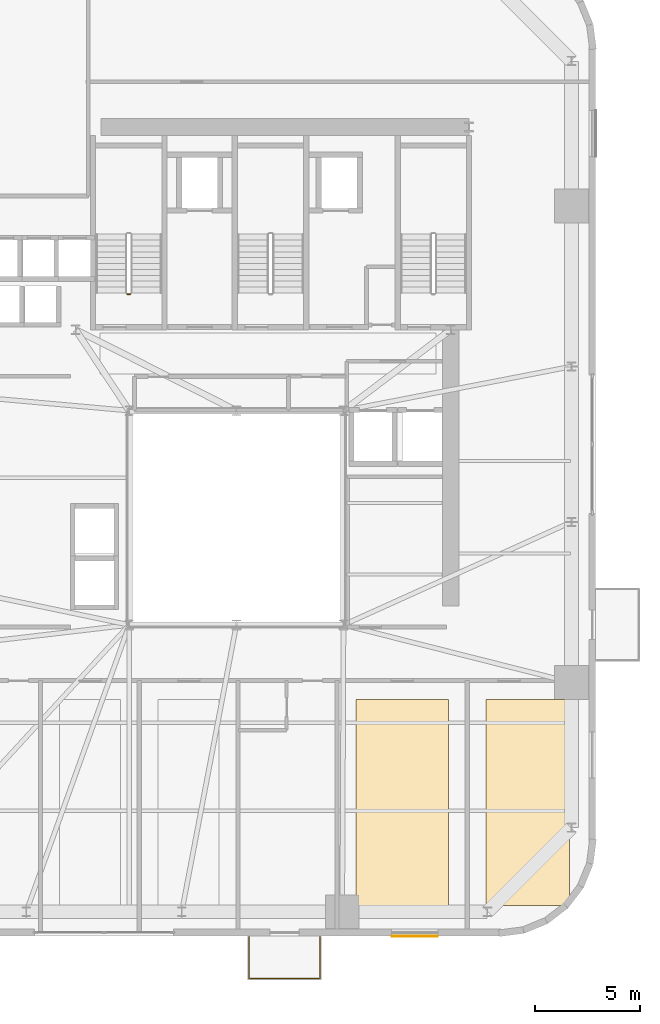
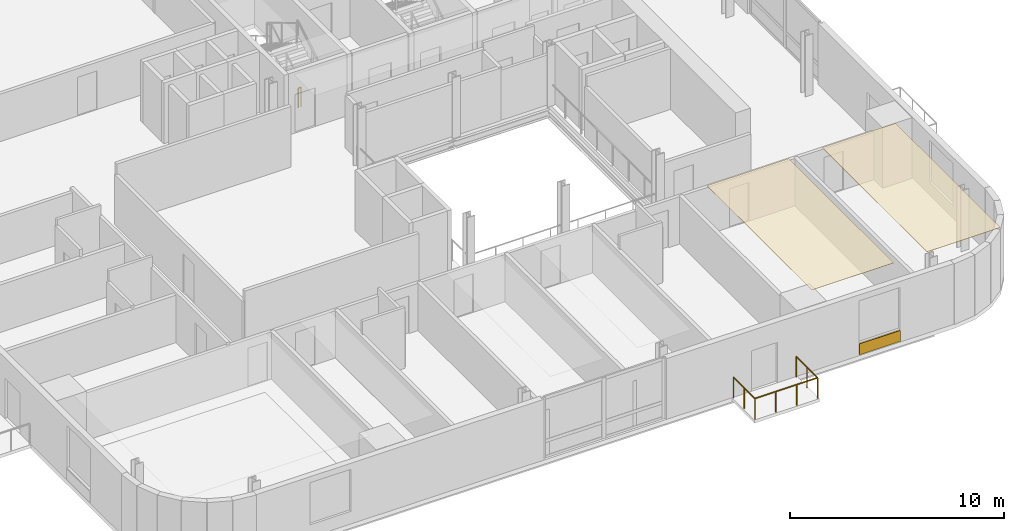
# One storey, part 11 of 14: 3 coverings, 2 railings.
"""IFC4 building model written with IfcOpenShell, lengths in metres."""

import ifcopenshell
import ifcopenshell.guid

model = None  # the IFC model being written
_history = None  # IfcOwnerHistory: only IFC2X3 demands one
_inside = {}  # id of a spatial element -> (the spatial element, [elements in it])
_under = {}  # id of a project, library or spatial element -> (it, [spatial elements below it])
_declared = {}  # id of a project -> (the project, [libraries it declares])
_typed = {}  # id of a type object -> (the type object, [elements of that type])
_made_of = {}  # id of a material, layer set ... -> (it, [elements and type objects made of it])


def new_model(schema):
    """Start an empty IFC model of exactly this schema.

    Asked for "IFC4X3", IfcOpenShell would pick the latest addendum, in which some entities
    have other attributes; the version numbers below select the first issue.
    IFC2X3 requires an IfcOwnerHistory on every rooted entity: one is made here for all.
    """
    global model, _history
    if schema == "IFC4X3":
        model = ifcopenshell.file(schema_version=(4, 3, 0, 0))
    else:
        model = ifcopenshell.file(schema=schema)
    _inside.clear()
    _under.clear()
    _declared.clear()
    _typed.clear()
    _made_of.clear()
    _history = None
    if model.schema == "IFC2X3":
        org = make("IfcOrganization", Name="unknown")
        user = make(
            "IfcPersonAndOrganization",
            ThePerson=make("IfcPerson", FamilyName="unknown"),
            TheOrganization=org,
        )
        app = make(
            "IfcApplication",
            ApplicationDeveloper=org,
            Version="unknown",
            ApplicationFullName="unknown",
            ApplicationIdentifier="unknown",
        )
        _history = make(
            "IfcOwnerHistory",
            OwningUser=user,
            OwningApplication=app,
            ChangeAction="ADDED",
            CreationDate=0,
        )
    return model


def make(cls, **values):
    """One entity of the class cls with the attributes given. An attribute that is None is left unset."""
    return model.create_entity(
        cls, **{name: value for name, value in values.items() if value is not None}
    )


def rooted(cls, **values):
    """An entity with a GlobalId (a new one), such as an element, a storey or a relation."""
    return make(cls, GlobalId=ifcopenshell.guid.new(), OwnerHistory=_history, **values)


def si_unit(unit_type, name, prefix=None):
    """IfcSIUnit, for example si_unit("LENGTHUNIT", "METRE", prefix="MILLI")."""
    return make("IfcSIUnit", UnitType=unit_type, Prefix=prefix, Name=name)


def assignment(units):
    """IfcUnitAssignment: the units of a project."""
    return None if units is None else make("IfcUnitAssignment", Units=units)


def point(xyz):
    """IfcCartesianPoint."""
    return None if xyz is None else make("IfcCartesianPoint", Coordinates=xyz)


def direction(xyz):
    """IfcDirection."""
    return None if xyz is None else make("IfcDirection", DirectionRatios=xyz)


def frame(location, z_axis=None, x_axis=None):
    """IfcAxis2Placement3D, a coordinate frame: its origin and axes. An axis left out is left unset."""
    return make(
        "IfcAxis2Placement3D",
        Location=point(location),
        Axis=direction(z_axis),
        RefDirection=direction(x_axis),
    )


def frame_2d(location, x_axis=None):
    """IfcAxis2Placement2D, a coordinate frame in the plane: its origin and x axis."""
    return make(
        "IfcAxis2Placement2D", Location=point(location), RefDirection=direction(x_axis)
    )


def origin():
    """The frame at (0, 0, 0) with its axes left unset."""
    return frame((0.0, 0.0, 0.0))


def origin_2d():
    """The frame at (0, 0) in the plane with its x axis left unset."""
    return frame_2d((0.0, 0.0))


def place(relative_to, where):
    """IfcLocalPlacement: puts the frame where relative to a parent placement (None: the world)."""
    return make(
        "IfcLocalPlacement", PlacementRelTo=relative_to, RelativePlacement=where
    )


def context(
    kind, dimensions, precision=None, world=None, true_north=None, identifier=None
):
    """IfcGeometricRepresentationContext, for example the 3D "Model" context."""
    return make(
        "IfcGeometricRepresentationContext",
        ContextIdentifier=identifier,
        ContextType=kind,
        CoordinateSpaceDimension=dimensions,
        Precision=precision,
        WorldCoordinateSystem=world,
        TrueNorth=true_north,
    )


def subcontext(parent, identifier, kind, view, scale=None):
    """IfcGeometricRepresentationSubContext, for example "Body" below "Model"."""
    return make(
        "IfcGeometricRepresentationSubContext",
        ContextIdentifier=identifier,
        ContextType=kind,
        ParentContext=parent,
        TargetScale=scale,
        TargetView=view,
    )


def project(units=None, contexts=None):
    """IfcProject with its units and contexts."""
    return rooted(
        "IfcProject",
        Name="project",
        RepresentationContexts=contexts,
        UnitsInContext=assignment(units),
    )


def spatial(cls, under=None, at=None, **own):
    """A site, building, storey or space (cls), placed at a placement, below another one or the project."""
    s = rooted(cls, ObjectPlacement=at, **own)
    if under is not None:
        _under.setdefault(under.id(), (under, []))[1].append(s)
    return s


def polyline(points):
    """IfcPolyline through the points."""
    return make("IfcPolyline", Points=[point(p) for p in points])


def profile(cls, at=None, kind="AREA", **sizes):
    """A parametric profile (cls). Its sizes go by their IFC names, for example OverallWidth=200.0."""
    return make(cls, ProfileType=kind, Position=at, **sizes)


def rectangle(**sizes):
    """IfcRectangleProfileDef."""
    return profile("IfcRectangleProfileDef", **sizes)


def outline(outer, holes=None, kind="AREA"):
    """IfcArbitraryClosedProfileDef: a profile drawn as a closed curve; with holes, ...WithVoids."""
    if holes is None:
        return make("IfcArbitraryClosedProfileDef", ProfileType=kind, OuterCurve=outer)
    return make(
        "IfcArbitraryProfileDefWithVoids",
        ProfileType=kind,
        OuterCurve=outer,
        InnerCurves=holes,
    )


def extrude(swept, where, along, depth):
    """IfcExtrudedAreaSolid: the profile swept, set in the frame where, extruded along a direction by depth."""
    return make(
        "IfcExtrudedAreaSolid",
        SweptArea=swept,
        Position=where,
        ExtrudedDirection=direction(along),
        Depth=depth,
    )


def shape(context_of_items, identifier, shape_type, items):
    """IfcShapeRepresentation: the items that make up one representation, for example the "Body"."""
    return make(
        "IfcShapeRepresentation",
        ContextOfItems=context_of_items,
        RepresentationIdentifier=identifier,
        RepresentationType=shape_type,
        Items=items,
    )


def source(mapping_origin, context_of_items, identifier, shape_type, items):
    """IfcRepresentationMap: a shape defined once, which mapped items show again and again."""
    return make(
        "IfcRepresentationMap",
        MappingOrigin=mapping_origin,
        MappedRepresentation=shape(context_of_items, identifier, shape_type, items),
    )


def transform(
    local_origin,
    x_axis=None,
    y_axis=None,
    z_axis=None,
    scale=None,
    scale2=None,
    scale3=None,
    uniform=True,
):
    """IfcCartesianTransformationOperator3D, or its non-uniform kind. x_axis, y_axis, z_axis: its Axis1, 2, 3."""
    if uniform:
        return make(
            "IfcCartesianTransformationOperator3D",
            Axis1=direction(x_axis),
            Axis2=direction(y_axis),
            LocalOrigin=point(local_origin),
            Scale=scale,
            Axis3=direction(z_axis),
        )
    return make(
        "IfcCartesianTransformationOperator3DnonUniform",
        Axis1=direction(x_axis),
        Axis2=direction(y_axis),
        LocalOrigin=point(local_origin),
        Scale=scale,
        Axis3=direction(z_axis),
        Scale2=scale2,
        Scale3=scale3,
    )


def mapped(mapping_source, mapping_target):
    """IfcMappedItem: shows the shape of a source again, moved by a transform."""
    return make(
        "IfcMappedItem", MappingSource=mapping_source, MappingTarget=mapping_target
    )


def material(Name=None, Category=None):
    """IfcMaterial."""
    return make("IfcMaterial", Name=Name, Category=Category)


def layer(
    of_material, thickness, ventilated=None, Name=None, Category=None, Priority=None
):
    """IfcMaterialLayer: one layer of a wall or slab, of a material (None: an air gap)."""
    return make(
        "IfcMaterialLayer",
        Material=of_material,
        LayerThickness=thickness,
        IsVentilated=ventilated,
        Name=Name,
        Category=Category,
        Priority=Priority,
    )


def layer_set(layers, Name=None):
    """IfcMaterialLayerSet."""
    return make("IfcMaterialLayerSet", MaterialLayers=layers, LayerSetName=Name)


def made_of(thing, what):
    """Note that an element or type object is made of a material, layer set ...; save() writes the relation."""
    if what is not None:
        _made_of.setdefault(what.id(), (what, []))[1].append(thing)
    return thing


def type_object(cls, material=None, **own):
    """A type object (cls), such as IfcWallType, which elements share."""
    return made_of(rooted(cls, **own), material)


def element(
    cls,
    number,
    at=None,
    inside=None,
    cuts=None,
    type_object=None,
    material=None,
    context=None,
    identifier="Body",
    shape_type=None,
    held_by="IfcProductDefinitionShape",
    body=None,
    shapes=None,
    **own,
):
    """One element of the class cls, such as IfcWall. Its Tag is "e" and its number.

    at: its placement. inside: the storey or other place that contains it. cuts: it is an
    opening in that element (IfcRelVoidsElement). A single representation is given by context,
    identifier, shape_type and body (its items); several are given by shapes. held_by: the class
    of the entity that holds the representations. save() writes the other relations.
    """
    e = rooted(cls, Tag="e%d" % number, ObjectPlacement=at, **own)
    if body is not None:
        shapes = [shape(context, identifier, shape_type, body)]
    if shapes is not None:
        e.Representation = make(held_by, Representations=shapes)
    if inside is not None:
        _inside.setdefault(inside.id(), (inside, []))[1].append(e)
    if cuts is not None:
        rooted(
            "IfcRelVoidsElement", RelatingBuildingElement=cuts, RelatedOpeningElement=e
        )
    if type_object is not None:
        _typed.setdefault(type_object.id(), (type_object, []))[1].append(e)
    return made_of(e, material)


def aggregate(whole, parts):
    """IfcRelAggregates: a whole, such as a stair, and the parts it consists of."""
    return rooted("IfcRelAggregates", RelatingObject=whole, RelatedObjects=parts)


def save(model, path):
    """Write the relations noted so far, then the file.

    IfcRelAggregates (storeys below a building ...), IfcRelContainedInSpatialStructure (elements
    in a storey), IfcRelDefinesByType, IfcRelAssociatesMaterial and IfcRelDeclares: one each for
    every whole, place, type object, material and project.
    """
    for whole, parts in _under.values():
        aggregate(whole, parts)
    for where, things in _inside.values():
        rooted(
            "IfcRelContainedInSpatialStructure",
            RelatedElements=things,
            RelatingStructure=where,
        )
    for kind, things in _typed.values():
        rooted("IfcRelDefinesByType", RelatedObjects=things, RelatingType=kind)
    for what, things in _made_of.values():
        rooted("IfcRelAssociatesMaterial", RelatedObjects=things, RelatingMaterial=what)
    for by, libraries in _declared.values():
        rooted("IfcRelDeclares", RelatingContext=by, RelatedDefinitions=libraries)
    model.write(path)


model = new_model("IFC4")

# Units and contexts
model_context = context("Model", 3, precision=1e-05, world=origin(), true_north=direction((0.0, 1.0)))
body_context = subcontext(model_context, "Body", "Model", "MODEL_VIEW")
ifc_project = project(units=[si_unit("LENGTHUNIT", "METRE"), si_unit("AREAUNIT", "SQUARE_METRE"), si_unit("VOLUMEUNIT", "CUBIC_METRE"), si_unit("PLANEANGLEUNIT", "RADIAN"), si_unit("MASSUNIT", "GRAM", prefix="KILO")], contexts=[model_context])

# Site, building, storey
site_placement = place(None, origin())
site = spatial("IfcSite", under=ifc_project, at=site_placement, CompositionType="ELEMENT")
building_placement = place(site_placement, origin())
building = spatial("IfcBuilding", under=site, at=building_placement, Name="Vardaveli Station Tower", CompositionType="ELEMENT")
storey_placement = place(building_placement, frame((0.0, 0.0, 152.0)))
storey = spatial("IfcBuildingStorey", under=building, at=storey_placement, Name="L39", CompositionType="ELEMENT", Elevation=152.0)

# Coverings
ifc_material_1 = material(Name="Perforated acoustic mineral ceiling")
ifc_layer_1 = layer(ifc_material_1, 0.02001953125, Name="Perforated acoustic mineral ceiling")
ifc_layer_set_1 = layer_set([ifc_layer_1], Name="Perforated acoustic mineral ceiling")
covering_type_1 = type_object("IfcCoveringType", Name="COV-CEIL-AC20", PredefinedType="CEILING", material=ifc_layer_set_1)
covering_1_placement = place(storey_placement, frame((0.0, 0.0, 3.445068359375)))
element("IfcCovering", 1, at=covering_1_placement, inside=storey, type_object=covering_type_1, Name="CEIL-L39-5", PredefinedType="CEILING", context=body_context, shape_type="SweptSolid", body=[
    extrude(outline(polyline([(41.984619140625, 3.25), (46.387451171875, 3.25), (46.387451171875, 13.050048828125), (41.984619140625, 13.050048828125), (41.984619140625, 3.25)])), origin(), (0.0, 0.0, 1.0), 0.02001953125),
])
covering_2_placement = place(storey_placement, frame((0.0, 0.0, 3.445068359375)))
element("IfcCovering", 2, at=covering_2_placement, inside=storey, type_object=covering_type_1, Name="CEIL-L39-6", PredefinedType="CEILING", context=body_context, shape_type="SweptSolid", body=[
    extrude(outline(polyline([(48.1875, 3.25), (52.14990234375, 3.25), (52.14990234375, 13.050048828125), (48.1875, 13.050048828125), (48.1875, 3.25)])), origin(), (0.0, 0.0, 1.0), 0.02001953125),
])
ifc_material_2 = material(Name="Ventilated honed travertine stone cladding", Category="masonry")
ifc_layer_2 = layer(ifc_material_2, 0.044921875, Name="Ventilated honed travertine stone cladding")
ifc_layer_set_2 = layer_set([ifc_layer_2], Name="Ventilated honed travertine stone cladding")
covering_type_2 = type_object("IfcCoveringType", Name="COV-CLAD-TR45", PredefinedType="CLADDING", material=ifc_layer_set_2)
shared_shape_1 = source(origin(), body_context, "Body", "SweptSolid", [
    extrude(rectangle(XDim=2.199951171875, YDim=0.044921875, at=origin_2d()), origin(), (0.0, 0.0, 1.0), 0.6201171875),
])
covering_3_placement = place(storey_placement, frame((44.794921875, 1.785400390625, 0.06982421875), z_axis=(0.0, 0.0, 1.0), x_axis=(1.0, 0.0, 0.0)))
element("IfcCovering", 3, at=covering_3_placement, inside=storey, type_object=covering_type_2, Name="CLD-TR-L39-S", PredefinedType="CLADDING", context=body_context, shape_type="MappedRepresentation", body=[
    mapped(shared_shape_1, transform((0.0, 0.0, 0.0), scale=1.0)),
])

# Railings
ifc_material_3 = material(Name="Laminated glass and stainless steel balustrade", Category="steel")
railing_type_1 = type_object("IfcRailingType", Name="RL-BAL-1200", PredefinedType="BALUSTRADE", material=ifc_material_3)
shared_shape_2 = source(origin(), body_context, "Body", "SweptSolid", [
    extrude(rectangle(XDim=0.048095703125, YDim=0.048095703125, at=origin_2d()), frame((0.0, 0.0, 1.17578125), z_axis=(0.0, -1.0, 0.0), x_axis=(1.0, 0.0, 0.0)), (0.0, 0.0, 1.0), 2.0),
    extrude(rectangle(XDim=0.048095703125, YDim=0.048095703125, at=origin_2d()), frame((0.0, -2.0, 1.17578125), z_axis=(1.0, 0.0, 0.0), x_axis=(0.0, 1.0, 0.0)), (0.0, 0.0, 1.0), 3.3798828125),
    extrude(rectangle(XDim=0.048095703125, YDim=0.048095703125, at=origin_2d()), frame((3.3798828125, -2.0, 1.17578125), z_axis=(0.0, 1.0, 0.0), x_axis=(-1.0, 0.0, 0.0)), (0.0, 0.0, 1.0), 2.0),
    extrude(rectangle(XDim=0.0419921875, YDim=0.0419921875, at=origin_2d()), origin(), (0.0, 0.0, 1.0), 1.15185546875),
    extrude(rectangle(XDim=0.0419921875, YDim=0.0419921875, at=origin_2d()), frame((0.0, -1.0, 0.0)), (0.0, 0.0, 1.0), 1.15185546875),
    extrude(rectangle(XDim=0.0419921875, YDim=0.0419921875, at=origin_2d()), frame((0.0, -2.0, 0.0)), (0.0, 0.0, 1.0), 1.15185546875),
    extrude(rectangle(XDim=0.0419921875, YDim=0.0419921875, at=origin_2d()), frame((1.126708984375, -2.0, 0.0)), (0.0, 0.0, 1.0), 1.15185546875),
    extrude(rectangle(XDim=0.0419921875, YDim=0.0419921875, at=origin_2d()), frame((2.253173828125, -2.0, 0.0)), (0.0, 0.0, 1.0), 1.15185546875),
    extrude(rectangle(XDim=0.0419921875, YDim=0.0419921875, at=origin_2d()), frame((3.3798828125, -2.0, 0.0)), (0.0, 0.0, 1.0), 1.15185546875),
    extrude(rectangle(XDim=0.0419921875, YDim=0.0419921875, at=origin_2d()), frame((3.3798828125, -1.0, 0.0)), (0.0, 0.0, 1.0), 1.15185546875),
    extrude(rectangle(XDim=0.0419921875, YDim=0.0419921875, at=origin_2d()), frame((3.3798828125, 0.0, 0.0)), (0.0, 0.0, 1.0), 1.15185546875),
])
railing_1_placement = place(storey_placement, frame((36.899658203125, 1.760009765625, 0.0)))
element("IfcRailing", 4, at=railing_1_placement, inside=storey, type_object=railing_type_1, Name="RL-LOG-L39-01", PredefinedType="BALUSTRADE", context=body_context, shape_type="MappedRepresentation", body=[
    mapped(shared_shape_2, transform((0.0, 0.0, 0.0), scale=1.0)),
])
ifc_material_4 = material(Name="Brushed AISI 316 stainless steel", Category="steel")
railing_type_2 = type_object("IfcRailingType", Name="RL-GUARD-1150", PredefinedType="GUARDRAIL", material=ifc_material_4)
shared_shape_3 = source(origin(), body_context, "Body", "SweptSolid", [
    extrude(rectangle(XDim=0.048095703125, YDim=0.048095703125, at=origin_2d()), frame((0.0, 0.0, 1.1259765625), z_axis=(-1.0, 0.0, 0.0), x_axis=(0.0, -1.0, 0.0)), (0.0, 0.0, 1.0), 0.14990234375),
    extrude(rectangle(XDim=0.0419921875, YDim=0.0419921875, at=origin_2d()), origin(), (0.0, 0.0, 1.0), 1.101806640625),
    extrude(rectangle(XDim=0.0419921875, YDim=0.0419921875, at=origin_2d()), frame((-0.14990234375, 0.0, 0.0)), (0.0, 0.0, 1.0), 1.101806640625),
])
railing_2_placement = place(storey_placement, frame((31.25, 32.35009765625, 0.0)))
element("IfcRailing", 5, at=railing_2_placement, inside=storey, type_object=railing_type_2, Name="L39 ST-1 stair guard 4", PredefinedType="GUARDRAIL", context=body_context, shape_type="MappedRepresentation", body=[
    mapped(shared_shape_3, transform((0.0, 0.0, 0.0), scale=1.0)),
])

save(model, "model.ifc")
